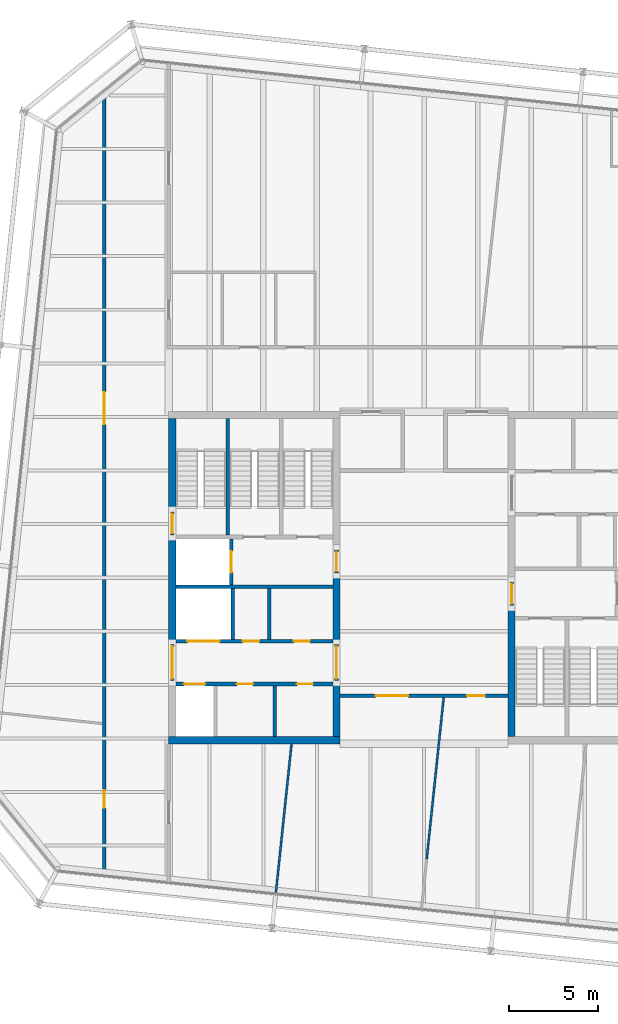
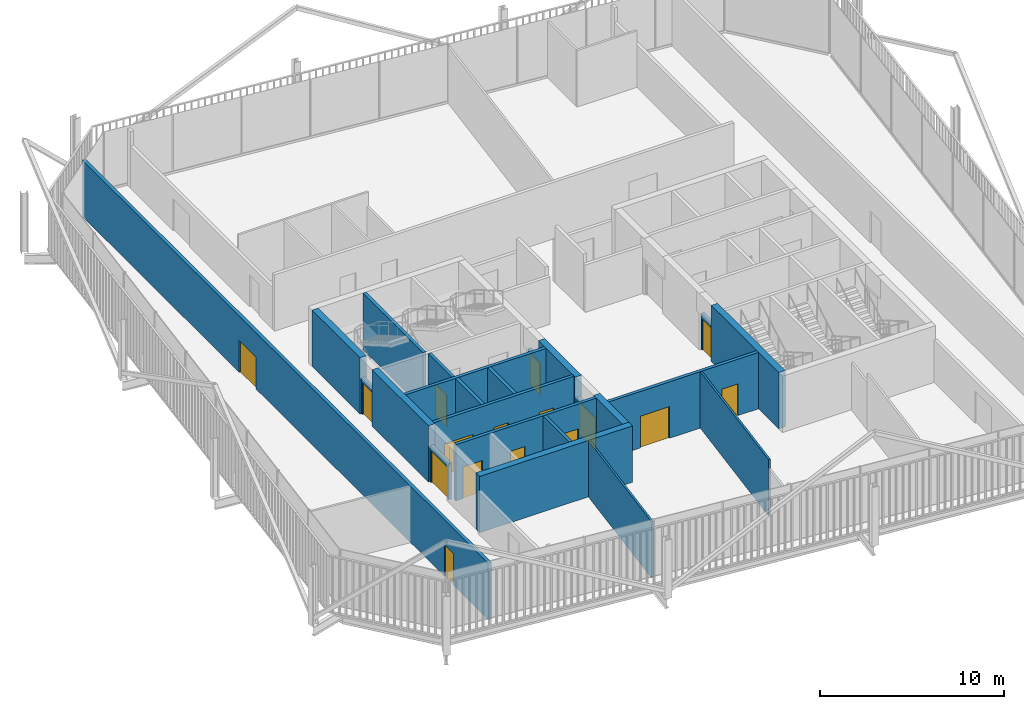
# One storey, part 17 of 21: 23 walls, 16 doors, 16 openings.
"""IFC4 building model written with IfcOpenShell, lengths in metres."""

import ifcopenshell
import ifcopenshell.guid

model = None  # the IFC model being written
_history = None  # IfcOwnerHistory: only IFC2X3 demands one
_inside = {}  # id of a spatial element -> (the spatial element, [elements in it])
_under = {}  # id of a project, library or spatial element -> (it, [spatial elements below it])
_declared = {}  # id of a project -> (the project, [libraries it declares])
_typed = {}  # id of a type object -> (the type object, [elements of that type])
_made_of = {}  # id of a material, layer set ... -> (it, [elements and type objects made of it])


def new_model(schema):
    """Start an empty IFC model of exactly this schema.

    Asked for "IFC4X3", IfcOpenShell would pick the latest addendum, in which some entities
    have other attributes; the version numbers below select the first issue.
    IFC2X3 requires an IfcOwnerHistory on every rooted entity: one is made here for all.
    """
    global model, _history
    if schema == "IFC4X3":
        model = ifcopenshell.file(schema_version=(4, 3, 0, 0))
    else:
        model = ifcopenshell.file(schema=schema)
    _inside.clear()
    _under.clear()
    _declared.clear()
    _typed.clear()
    _made_of.clear()
    _history = None
    if model.schema == "IFC2X3":
        org = make("IfcOrganization", Name="unknown")
        user = make(
            "IfcPersonAndOrganization",
            ThePerson=make("IfcPerson", FamilyName="unknown"),
            TheOrganization=org,
        )
        app = make(
            "IfcApplication",
            ApplicationDeveloper=org,
            Version="unknown",
            ApplicationFullName="unknown",
            ApplicationIdentifier="unknown",
        )
        _history = make(
            "IfcOwnerHistory",
            OwningUser=user,
            OwningApplication=app,
            ChangeAction="ADDED",
            CreationDate=0,
        )
    return model


def make(cls, **values):
    """One entity of the class cls with the attributes given. An attribute that is None is left unset."""
    return model.create_entity(
        cls, **{name: value for name, value in values.items() if value is not None}
    )


def rooted(cls, **values):
    """An entity with a GlobalId (a new one), such as an element, a storey or a relation."""
    return make(cls, GlobalId=ifcopenshell.guid.new(), OwnerHistory=_history, **values)


def si_unit(unit_type, name, prefix=None):
    """IfcSIUnit, for example si_unit("LENGTHUNIT", "METRE", prefix="MILLI")."""
    return make("IfcSIUnit", UnitType=unit_type, Prefix=prefix, Name=name)


def assignment(units):
    """IfcUnitAssignment: the units of a project."""
    return None if units is None else make("IfcUnitAssignment", Units=units)


def point(xyz):
    """IfcCartesianPoint."""
    return None if xyz is None else make("IfcCartesianPoint", Coordinates=xyz)


def direction(xyz):
    """IfcDirection."""
    return None if xyz is None else make("IfcDirection", DirectionRatios=xyz)


def frame(location, z_axis=None, x_axis=None):
    """IfcAxis2Placement3D, a coordinate frame: its origin and axes. An axis left out is left unset."""
    return make(
        "IfcAxis2Placement3D",
        Location=point(location),
        Axis=direction(z_axis),
        RefDirection=direction(x_axis),
    )


def frame_2d(location, x_axis=None):
    """IfcAxis2Placement2D, a coordinate frame in the plane: its origin and x axis."""
    return make(
        "IfcAxis2Placement2D", Location=point(location), RefDirection=direction(x_axis)
    )


def origin():
    """The frame at (0, 0, 0) with its axes left unset."""
    return frame((0.0, 0.0, 0.0))


def place(relative_to, where):
    """IfcLocalPlacement: puts the frame where relative to a parent placement (None: the world)."""
    return make(
        "IfcLocalPlacement", PlacementRelTo=relative_to, RelativePlacement=where
    )


def context(
    kind, dimensions, precision=None, world=None, true_north=None, identifier=None
):
    """IfcGeometricRepresentationContext, for example the 3D "Model" context."""
    return make(
        "IfcGeometricRepresentationContext",
        ContextIdentifier=identifier,
        ContextType=kind,
        CoordinateSpaceDimension=dimensions,
        Precision=precision,
        WorldCoordinateSystem=world,
        TrueNorth=true_north,
    )


def subcontext(parent, identifier, kind, view, scale=None):
    """IfcGeometricRepresentationSubContext, for example "Body" below "Model"."""
    return make(
        "IfcGeometricRepresentationSubContext",
        ContextIdentifier=identifier,
        ContextType=kind,
        ParentContext=parent,
        TargetScale=scale,
        TargetView=view,
    )


def project(units=None, contexts=None):
    """IfcProject with its units and contexts."""
    return rooted(
        "IfcProject",
        Name="project",
        RepresentationContexts=contexts,
        UnitsInContext=assignment(units),
    )


def spatial(cls, under=None, at=None, **own):
    """A site, building, storey or space (cls), placed at a placement, below another one or the project."""
    s = rooted(cls, ObjectPlacement=at, **own)
    if under is not None:
        _under.setdefault(under.id(), (under, []))[1].append(s)
    return s


def profile(cls, at=None, kind="AREA", **sizes):
    """A parametric profile (cls). Its sizes go by their IFC names, for example OverallWidth=200.0."""
    return make(cls, ProfileType=kind, Position=at, **sizes)


def rectangle(**sizes):
    """IfcRectangleProfileDef."""
    return profile("IfcRectangleProfileDef", **sizes)


def extrude(swept, where, along, depth):
    """IfcExtrudedAreaSolid: the profile swept, set in the frame where, extruded along a direction by depth."""
    return make(
        "IfcExtrudedAreaSolid",
        SweptArea=swept,
        Position=where,
        ExtrudedDirection=direction(along),
        Depth=depth,
    )


def shape(context_of_items, identifier, shape_type, items):
    """IfcShapeRepresentation: the items that make up one representation, for example the "Body"."""
    return make(
        "IfcShapeRepresentation",
        ContextOfItems=context_of_items,
        RepresentationIdentifier=identifier,
        RepresentationType=shape_type,
        Items=items,
    )


def material(Name=None, Category=None):
    """IfcMaterial."""
    return make("IfcMaterial", Name=Name, Category=Category)


def layer(
    of_material, thickness, ventilated=None, Name=None, Category=None, Priority=None
):
    """IfcMaterialLayer: one layer of a wall or slab, of a material (None: an air gap)."""
    return make(
        "IfcMaterialLayer",
        Material=of_material,
        LayerThickness=thickness,
        IsVentilated=ventilated,
        Name=Name,
        Category=Category,
        Priority=Priority,
    )


def layer_set(layers, Name=None):
    """IfcMaterialLayerSet."""
    return make("IfcMaterialLayerSet", MaterialLayers=layers, LayerSetName=Name)


def made_of(thing, what):
    """Note that an element or type object is made of a material, layer set ...; save() writes the relation."""
    if what is not None:
        _made_of.setdefault(what.id(), (what, []))[1].append(thing)
    return thing


def type_object(cls, material=None, **own):
    """A type object (cls), such as IfcWallType, which elements share."""
    return made_of(rooted(cls, **own), material)


def element(
    cls,
    number,
    at=None,
    inside=None,
    cuts=None,
    type_object=None,
    material=None,
    context=None,
    identifier="Body",
    shape_type=None,
    held_by="IfcProductDefinitionShape",
    body=None,
    shapes=None,
    **own,
):
    """One element of the class cls, such as IfcWall. Its Tag is "e" and its number.

    at: its placement. inside: the storey or other place that contains it. cuts: it is an
    opening in that element (IfcRelVoidsElement). A single representation is given by context,
    identifier, shape_type and body (its items); several are given by shapes. held_by: the class
    of the entity that holds the representations. save() writes the other relations.
    """
    e = rooted(cls, Tag="e%d" % number, ObjectPlacement=at, **own)
    if body is not None:
        shapes = [shape(context, identifier, shape_type, body)]
    if shapes is not None:
        e.Representation = make(held_by, Representations=shapes)
    if inside is not None:
        _inside.setdefault(inside.id(), (inside, []))[1].append(e)
    if cuts is not None:
        rooted(
            "IfcRelVoidsElement", RelatingBuildingElement=cuts, RelatedOpeningElement=e
        )
    if type_object is not None:
        _typed.setdefault(type_object.id(), (type_object, []))[1].append(e)
    return made_of(e, material)


def fill(opening, filler):
    """IfcRelFillsElement: the door or window that sits in an opening."""
    return rooted(
        "IfcRelFillsElement",
        RelatingOpeningElement=opening,
        RelatedBuildingElement=filler,
    )


def aggregate(whole, parts):
    """IfcRelAggregates: a whole, such as a stair, and the parts it consists of."""
    return rooted("IfcRelAggregates", RelatingObject=whole, RelatedObjects=parts)


def save(model, path):
    """Write the relations noted so far, then the file.

    IfcRelAggregates (storeys below a building ...), IfcRelContainedInSpatialStructure (elements
    in a storey), IfcRelDefinesByType, IfcRelAssociatesMaterial and IfcRelDeclares: one each for
    every whole, place, type object, material and project.
    """
    for whole, parts in _under.values():
        aggregate(whole, parts)
    for where, things in _inside.values():
        rooted(
            "IfcRelContainedInSpatialStructure",
            RelatedElements=things,
            RelatingStructure=where,
        )
    for kind, things in _typed.values():
        rooted("IfcRelDefinesByType", RelatedObjects=things, RelatingType=kind)
    for what, things in _made_of.values():
        rooted("IfcRelAssociatesMaterial", RelatedObjects=things, RelatingMaterial=what)
    for by, libraries in _declared.values():
        rooted("IfcRelDeclares", RelatingContext=by, RelatedDefinitions=libraries)
    model.write(path)


model = new_model("IFC4")

# Units and contexts
model_context = context("Model", 3, precision=1e-05, world=origin(), true_north=direction((0.0, 1.0)))
body_context = subcontext(model_context, "Body", "Model", "MODEL_VIEW")
ifc_project = project(units=[si_unit("LENGTHUNIT", "METRE"), si_unit("AREAUNIT", "SQUARE_METRE"), si_unit("VOLUMEUNIT", "CUBIC_METRE"), si_unit("PLANEANGLEUNIT", "RADIAN"), si_unit("MASSUNIT", "GRAM", prefix="KILO")], contexts=[model_context])

# Site, building, storey
site_placement = place(None, origin())
site = spatial("IfcSite", under=ifc_project, at=site_placement, CompositionType="ELEMENT")
building_placement = place(site_placement, origin())
building = spatial("IfcBuilding", under=site, at=building_placement, Name="Millrace Tower", CompositionType="ELEMENT")
storey_placement = place(building_placement, frame((0.0, 0.0, 291.60009765625)))
storey = spatial("IfcBuildingStorey", under=building, at=storey_placement, Name="L67", CompositionType="ELEMENT", Elevation=291.60009765625)

# Walls
ifc_material_1 = material(Name="Concrete C60", Category="concrete")
ifc_layer_1 = layer(ifc_material_1, 0.39990234375)
ifc_layer_set_1 = layer_set([ifc_layer_1], Name="Concrete C60")
wall_type_1 = type_object("IfcWallType", Name="Core wall 400 Concrete C60", PredefinedType="SHEAR", material=ifc_layer_set_1)
wall_1_placement = place(storey_placement, frame((-14.300048828125, -9.10009765625, 0.0), z_axis=(0.0, 0.0, 1.0), x_axis=(1.0, 0.0, 0.0)))
element("IfcWall", 1, at=wall_1_placement, inside=storey, type_object=wall_type_1, Name="Core wall W L67", PredefinedType="SHEAR", context=body_context, shape_type="SweptSolid", body=[
    extrude(rectangle(XDim=9.60009765625, YDim=0.39990234375, at=frame_2d((4.800048828125, 0.0))), origin(), (0.0, 0.0, 1.0), 3.739990234375),
])
wall_2_placement = place(storey_placement, frame((-14.10009765625, -3.75, 0.0), z_axis=(0.0, 0.0, 1.0), x_axis=(0.0, 1.0, 0.0)))
element("IfcWall", 2, at=wall_2_placement, inside=storey, type_object=wall_type_1, Name="Core wall W L67", PredefinedType="SHEAR", context=body_context, shape_type="SweptSolid", body=[
    extrude(rectangle(XDim=6.1298828125, YDim=0.39990234375, at=frame_2d((3.06494140625, 0.0))), origin(), (0.0, 0.0, 1.0), 3.739990234375),
])
wall_3_placement = place(storey_placement, frame((-14.10009765625, 3.679931640625, 0.0), z_axis=(0.0, 0.0, 1.0), x_axis=(0.0, 1.0, 0.0)))
element("IfcWall", 3, at=wall_3_placement, inside=storey, type_object=wall_type_1, Name="Core wall W L67", PredefinedType="SHEAR", context=body_context, shape_type="SweptSolid", body=[
    extrude(rectangle(XDim=5.219970703125, YDim=0.39990234375, at=frame_2d((2.60986328125, 0.0))), origin(), (0.0, 0.0, 1.0), 3.739990234375),
])
wall_4_placement = place(storey_placement, frame((-4.89990234375, -8.89990234375, 0.0), z_axis=(0.0, 0.0, 1.0), x_axis=(0.0, 1.0, 0.0)))
element("IfcWall", 4, at=wall_4_placement, inside=storey, type_object=wall_type_1, Name="Core wall W L67", PredefinedType="SHEAR", context=body_context, shape_type="SweptSolid", body=[
    extrude(rectangle(XDim=3.14990234375, YDim=0.39990234375, at=frame_2d((1.574951171875, 0.0))), origin(), (0.0, 0.0, 1.0), 3.739990234375),
])
wall_5_placement = place(storey_placement, frame((-4.89990234375, -3.75, 0.0), z_axis=(0.0, 0.0, 1.0), x_axis=(0.0, 1.0, 0.0)))
element("IfcWall", 5, at=wall_5_placement, inside=storey, type_object=wall_type_1, Name="Core wall W L67", PredefinedType="SHEAR", context=body_context, shape_type="SweptSolid", body=[
    extrude(rectangle(XDim=4.0, YDim=0.39990234375, at=frame_2d((2.0, 0.0))), origin(), (0.0, 0.0, 1.0), 3.739990234375),
])
wall_6_placement = place(storey_placement, frame((4.89990234375, -1.550048828125, 0.0), z_axis=(0.0, 0.0, 1.0), x_axis=(0.0, -1.0, 0.0)))
element("IfcWall", 6, at=wall_6_placement, inside=storey, type_object=wall_type_1, Name="Core wall E L67", PredefinedType="SHEAR", context=body_context, shape_type="SweptSolid", body=[
    extrude(rectangle(XDim=7.349853515625, YDim=0.39990234375, at=frame_2d((3.6748046875, 0.0))), origin(), (0.0, 0.0, 1.0), 3.739990234375),
])

# Wall, openings, doors
ifc_material_2 = material(Name="Masonry partition, fire-rated", Category="masonry")
ifc_layer_2 = layer(ifc_material_2, 0.199951171875)
ifc_layer_set_2 = layer_set([ifc_layer_2], Name="Masonry partition, fire-rated")
wall_type_2 = type_object("IfcWallType", Name="Corridor wall 200", PredefinedType="PARTITIONING", material=ifc_layer_set_2)
wall_7_placement = place(storey_placement, frame((-4.699951171875, -6.60009765625, 0.0), z_axis=(0.0, 0.0, 1.0), x_axis=(1.0, 0.0, 0.0)))
wall_7 = element("IfcWall", 7, at=wall_7_placement, inside=storey, type_object=wall_type_2, Name="Corridor wall L67", PredefinedType="PARTITIONING", context=body_context, shape_type="SweptSolid", body=[
    extrude(rectangle(XDim=9.39990234375, YDim=0.199951171875, at=frame_2d((4.699951171875, 0.0))), origin(), (0.0, 0.0, 1.0), 3.739990234375),
])
opening_1_placement = place(wall_7_placement, frame((2.0048828125, 0.0, 0.0)))
opening_1 = element("IfcOpeningElement", 8, at=opening_1_placement, cuts=wall_7, Name="Opening 67-P010", PredefinedType="OPENING", context=body_context, shape_type="SweptSolid", body=[
    extrude(rectangle(XDim=1.800048828125, YDim=2.10009765625, at=frame_2d((0.89990234375, 1.050048828125))), frame((0.0, 0.10986328125, 0.0), z_axis=(0.0, -1.0, 0.0), x_axis=(1.0, 0.0, 0.0)), (0.0, 0.0, 1.0), 0.219970703125),
])
opening_2_placement = place(wall_7_placement, frame((7.10498046875, 0.0, 0.0)))
opening_2 = element("IfcOpeningElement", 9, at=opening_2_placement, cuts=wall_7, Name="Opening 67-P011", PredefinedType="OPENING", context=body_context, shape_type="SweptSolid", body=[
    extrude(rectangle(XDim=1.0, YDim=2.10009765625, at=frame_2d((0.5, 1.050048828125))), frame((0.0, 0.10986328125, 0.0), z_axis=(0.0, -1.0, 0.0), x_axis=(1.0, 0.0, 0.0)), (0.0, 0.0, 1.0), 0.219970703125),
])
ifc_material_3 = material(Name="Steel door set, fire-rated", Category="steel")
door_type_1 = type_object("IfcDoorType", Name="Corridor door 1000 x 2100", OperationType="SINGLE_SWING_LEFT", PredefinedType="DOOR", material=ifc_material_3)
door_1_placement = place(opening_2_placement, frame((1.0, 0.0, 0.0), z_axis=(0.0, 0.0, 1.0), x_axis=(-1.0, 0.0, 0.0)))
door_1 = element("IfcDoor", 10, at=door_1_placement, inside=storey, type_object=door_type_1, Name="Door 67-P011", OperationType="SINGLE_SWING_LEFT", OverallHeight=2.10009765625, OverallWidth=1.0, PredefinedType="DOOR", context=body_context, shape_type="SweptSolid", body=[
    extrude(rectangle(XDim=1.0, YDim=2.10009765625, at=frame_2d((0.5, 1.050048828125))), frame((0.0, 0.02490234375, 0.0), z_axis=(0.0, -1.0, 0.0), x_axis=(1.0, 0.0, 0.0)), (0.0, 0.0, 1.0), 0.050048828125),
])
fill(opening_2, door_1)
ifc_material_4 = material(Name="Steel door set, fire-rated", Category="steel")
door_type_2 = type_object("IfcDoorType", Name="Corridor door 1800 x 2100", OperationType="DOUBLE_DOOR_SINGLE_SWING", PredefinedType="DOOR", material=ifc_material_4)
door_2_placement = place(opening_1_placement, frame((1.800048828125, 0.0, 0.0), z_axis=(0.0, 0.0, 1.0), x_axis=(-1.0, 0.0, 0.0)))
door_2 = element("IfcDoor", 11, at=door_2_placement, inside=storey, type_object=door_type_2, Name="Door 67-P010", OperationType="DOUBLE_DOOR_SINGLE_SWING", OverallHeight=2.10009765625, OverallWidth=1.800048828125, PredefinedType="DOOR", context=body_context, shape_type="SweptSolid", body=[
    extrude(rectangle(XDim=1.800048828125, YDim=2.10009765625, at=frame_2d((0.89990234375, 1.050048828125))), frame((0.0, 0.02490234375, 0.0), z_axis=(0.0, -1.0, 0.0), x_axis=(1.0, 0.0, 0.0)), (0.0, 0.0, 1.0), 0.050048828125),
])
fill(opening_1, door_2)

wall_8_placement = place(storey_placement, frame((-17.89990234375, -16.653076171875, 0.0), z_axis=(0.0, 0.0, 1.0), x_axis=(0.0, 1.0, 0.0)))
wall_8 = element("IfcWall", 12, at=wall_8_placement, inside=storey, type_object=wall_type_2, Name="Corridor wall L67", PredefinedType="PARTITIONING", context=body_context, shape_type="SweptSolid", body=[
    extrude(rectangle(XDim=44.071533203125, YDim=0.199951171875, at=frame_2d((22.03564453125, 0.0))), origin(), (0.0, 0.0, 1.0), 3.739990234375),
])
opening_3_placement = place(wall_8_placement, frame((3.76318359375, 0.0, 0.0)))
opening_3 = element("IfcOpeningElement", 13, at=opening_3_placement, cuts=wall_8, Name="Opening 67-P003", PredefinedType="OPENING", context=body_context, shape_type="SweptSolid", body=[
    extrude(rectangle(XDim=1.0, YDim=2.10009765625, at=frame_2d((0.5, 1.050048828125))), frame((0.0, 0.10986328125, 0.0), z_axis=(0.0, -1.0, 0.0), x_axis=(1.0, 0.0, 0.0)), (0.0, 0.0, 1.0), 0.219970703125),
])
opening_4_placement = place(wall_8_placement, frame((25.24169921875, 0.0, 0.0)))
opening_4 = element("IfcOpeningElement", 14, at=opening_4_placement, cuts=wall_8, Name="Opening 67-P004", PredefinedType="OPENING", context=body_context, shape_type="SweptSolid", body=[
    extrude(rectangle(XDim=1.800048828125, YDim=2.10009765625, at=frame_2d((0.89990234375, 1.050048828125))), frame((0.0, 0.10986328125, 0.0), z_axis=(0.0, -1.0, 0.0), x_axis=(1.0, 0.0, 0.0)), (0.0, 0.0, 1.0), 0.219970703125),
])
door_3_placement = place(opening_3_placement, origin())
door_3 = element("IfcDoor", 15, at=door_3_placement, inside=storey, type_object=door_type_1, Name="Door 67-P003", OperationType="SINGLE_SWING_LEFT", OverallHeight=2.10009765625, OverallWidth=1.0, PredefinedType="DOOR", context=body_context, shape_type="SweptSolid", body=[
    extrude(rectangle(XDim=1.0, YDim=2.10009765625, at=frame_2d((0.5, 1.050048828125))), frame((0.0, 0.02490234375, 0.0), z_axis=(0.0, -1.0, 0.0), x_axis=(1.0, 0.0, 0.0)), (0.0, 0.0, 1.0), 0.050048828125),
])
fill(opening_3, door_3)
door_4_placement = place(opening_4_placement, origin())
door_4 = element("IfcDoor", 16, at=door_4_placement, inside=storey, type_object=door_type_2, Name="Door 67-P004", OperationType="DOUBLE_DOOR_SINGLE_SWING", OverallHeight=2.10009765625, OverallWidth=1.800048828125, PredefinedType="DOOR", context=body_context, shape_type="SweptSolid", body=[
    extrude(rectangle(XDim=1.800048828125, YDim=2.10009765625, at=frame_2d((0.89990234375, 1.050048828125))), frame((0.0, 0.02490234375, 0.0), z_axis=(0.0, -1.0, 0.0), x_axis=(1.0, 0.0, 0.0)), (0.0, 0.0, 1.0), 0.050048828125),
])
fill(opening_4, door_4)

ifc_material_5 = material(Name="Masonry partition, fire-rated", Category="masonry")
ifc_layer_3 = layer(ifc_material_5, 0.199951171875)
ifc_layer_set_3 = layer_set([ifc_layer_3], Name="Masonry partition, fire-rated")
wall_type_3 = type_object("IfcWallType", Name="Lift shaft wall 200", PredefinedType="PARTITIONING", material=ifc_layer_set_3)
wall_9_placement = place(storey_placement, frame((-13.89990234375, -5.949951171875, 0.0), z_axis=(0.0, 0.0, 1.0), x_axis=(1.0, 0.0, 0.0)))
wall_9 = element("IfcWall", 17, at=wall_9_placement, inside=storey, type_object=wall_type_3, Name="Lift shaft wall W L67", PredefinedType="PARTITIONING", context=body_context, shape_type="SweptSolid", body=[
    extrude(rectangle(XDim=8.7998046875, YDim=0.199951171875, at=frame_2d((4.39990234375, 0.0))), origin(), (0.0, 0.0, 1.0), 3.739990234375),
])
opening_5_placement = place(wall_9_placement, frame((0.449951171875, 0.0, 0.0)))
opening_5 = element("IfcOpeningElement", 18, at=opening_5_placement, cuts=wall_9, Name="Opening 67-LD01", PredefinedType="OPENING", context=body_context, shape_type="SweptSolid", body=[
    extrude(rectangle(XDim=1.199951171875, YDim=2.10009765625, at=frame_2d((0.60009765625, 1.050048828125))), frame((0.0, 0.10986328125, 0.0), z_axis=(0.0, -1.0, 0.0), x_axis=(1.0, 0.0, 0.0)), (0.0, 0.0, 1.0), 0.219970703125),
])
opening_6_placement = place(wall_9_placement, frame((3.425048828125, 0.0, 0.0)))
opening_6 = element("IfcOpeningElement", 19, at=opening_6_placement, cuts=wall_9, Name="Opening 67-C005", PredefinedType="OPENING", context=body_context, shape_type="SweptSolid", body=[
    extrude(rectangle(XDim=0.89990234375, YDim=2.10009765625, at=frame_2d((0.449951171875, 1.050048828125))), frame((0.0, 0.10986328125, 0.0), z_axis=(0.0, -1.0, 0.0), x_axis=(1.0, 0.0, 0.0)), (0.0, 0.0, 1.0), 0.219970703125),
])
opening_7_placement = place(wall_9_placement, frame((6.77490234375, 0.0, 0.0)))
opening_7 = element("IfcOpeningElement", 20, at=opening_7_placement, cuts=wall_9, Name="Opening 67-C006", PredefinedType="OPENING", context=body_context, shape_type="SweptSolid", body=[
    extrude(rectangle(XDim=0.89990234375, YDim=2.10009765625, at=frame_2d((0.449951171875, 1.050048828125))), frame((0.0, 0.10986328125, 0.0), z_axis=(0.0, -1.0, 0.0), x_axis=(1.0, 0.0, 0.0)), (0.0, 0.0, 1.0), 0.219970703125),
])
ifc_material_6 = material(Name="Stainless steel, fire-rated", Category="steel")
door_type_3 = type_object("IfcDoorType", Name="Lift landing door 1200 x 2100", OperationType="DOUBLE_DOOR_SLIDING", PredefinedType="DOOR", material=ifc_material_6)
door_5_placement = place(opening_5_placement, origin())
door_5 = element("IfcDoor", 21, at=door_5_placement, inside=storey, type_object=door_type_3, Name="Lift landing door LF1 L67", OperationType="DOUBLE_DOOR_SLIDING", OverallHeight=2.10009765625, OverallWidth=1.199951171875, PredefinedType="DOOR", context=body_context, shape_type="SweptSolid", body=[
    extrude(rectangle(XDim=1.199951171875, YDim=2.10009765625, at=frame_2d((0.60009765625, 1.050048828125))), frame((0.0, 0.02490234375, 0.0), z_axis=(0.0, -1.0, 0.0), x_axis=(1.0, 0.0, 0.0)), (0.0, 0.0, 1.0), 0.050048828125),
])
fill(opening_5, door_5)
ifc_material_7 = material(Name="Steel door, fire-rated", Category="steel")
door_type_4 = type_object("IfcDoorType", Name="Service room door 900 x 2100", OperationType="SINGLE_SWING_LEFT", PredefinedType="DOOR", material=ifc_material_7)
door_6_placement = place(opening_6_placement, frame((0.89990234375, 0.0, 0.0), z_axis=(0.0, 0.0, 1.0), x_axis=(-1.0, 0.0, 0.0)))
door_6 = element("IfcDoor", 22, at=door_6_placement, inside=storey, type_object=door_type_4, Name="Service room door 67-C005", OperationType="SINGLE_SWING_RIGHT", OverallHeight=2.10009765625, OverallWidth=0.89990234375, PredefinedType="DOOR", context=body_context, shape_type="SweptSolid", body=[
    extrude(rectangle(XDim=0.89990234375, YDim=2.10009765625, at=frame_2d((0.449951171875, 1.050048828125))), frame((0.0, 0.02490234375, 0.0), z_axis=(0.0, -1.0, 0.0), x_axis=(1.0, 0.0, 0.0)), (0.0, 0.0, 1.0), 0.050048828125),
])
fill(opening_6, door_6)
door_7_placement = place(opening_7_placement, frame((0.89990234375, 0.0, 0.0), z_axis=(0.0, 0.0, 1.0), x_axis=(-1.0, 0.0, 0.0)))
door_7 = element("IfcDoor", 23, at=door_7_placement, inside=storey, type_object=door_type_4, Name="Service room door 67-C006", OperationType="SINGLE_SWING_LEFT", OverallHeight=2.10009765625, OverallWidth=0.89990234375, PredefinedType="DOOR", context=body_context, shape_type="SweptSolid", body=[
    extrude(rectangle(XDim=0.89990234375, YDim=2.10009765625, at=frame_2d((0.449951171875, 1.050048828125))), frame((0.0, 0.02490234375, 0.0), z_axis=(0.0, -1.0, 0.0), x_axis=(1.0, 0.0, 0.0)), (0.0, 0.0, 1.0), 0.050048828125),
])
fill(opening_7, door_7)

wall_10_placement = place(storey_placement, frame((-13.89990234375, -3.550048828125, 0.0), z_axis=(0.0, 0.0, 1.0), x_axis=(1.0, 0.0, 0.0)))
wall_10 = element("IfcWall", 24, at=wall_10_placement, inside=storey, type_object=wall_type_3, Name="Lift shaft wall W L67", PredefinedType="PARTITIONING", context=body_context, shape_type="SweptSolid", body=[
    extrude(rectangle(XDim=8.7998046875, YDim=0.199951171875, at=frame_2d((4.39990234375, 0.0))), origin(), (0.0, 0.0, 1.0), 3.739990234375),
])
opening_8_placement = place(wall_10_placement, frame((0.64990234375, 0.0, 0.0)))
opening_8 = element("IfcOpeningElement", 25, at=opening_8_placement, cuts=wall_10, Name="Opening 67-LD05", PredefinedType="OPENING", context=body_context, shape_type="SweptSolid", body=[
    extrude(rectangle(XDim=1.800048828125, YDim=2.10009765625, at=frame_2d((0.89990234375, 1.050048828125))), frame((0.0, 0.10986328125, 0.0), z_axis=(0.0, -1.0, 0.0), x_axis=(1.0, 0.0, 0.0)), (0.0, 0.0, 1.0), 0.219970703125),
])
opening_9_placement = place(wall_10_placement, frame((3.762451171875, 0.0, 0.0)))
opening_9 = element("IfcOpeningElement", 26, at=opening_9_placement, cuts=wall_10, Name="Opening 67-C007", PredefinedType="OPENING", context=body_context, shape_type="SweptSolid", body=[
    extrude(rectangle(XDim=0.89990234375, YDim=2.10009765625, at=frame_2d((0.449951171875, 1.050048828125))), frame((0.0, 0.10986328125, 0.0), z_axis=(0.0, -1.0, 0.0), x_axis=(1.0, 0.0, 0.0)), (0.0, 0.0, 1.0), 0.219970703125),
])
opening_10_placement = place(wall_10_placement, frame((6.612548828125, 0.0, 0.0)))
opening_10 = element("IfcOpeningElement", 27, at=opening_10_placement, cuts=wall_10, Name="Opening 67-C008", PredefinedType="OPENING", context=body_context, shape_type="SweptSolid", body=[
    extrude(rectangle(XDim=0.89990234375, YDim=2.10009765625, at=frame_2d((0.449951171875, 1.050048828125))), frame((0.0, 0.10986328125, 0.0), z_axis=(0.0, -1.0, 0.0), x_axis=(1.0, 0.0, 0.0)), (0.0, 0.0, 1.0), 0.219970703125),
])
ifc_material_8 = material(Name="Stainless steel, fire-rated", Category="steel")
door_type_5 = type_object("IfcDoorType", Name="Lift landing door 1800 x 2100", OperationType="DOUBLE_DOOR_SLIDING", PredefinedType="DOOR", material=ifc_material_8)
door_8_placement = place(opening_8_placement, origin())
door_8 = element("IfcDoor", 28, at=door_8_placement, inside=storey, type_object=door_type_5, Name="Lift landing door LF5 L67", OperationType="DOUBLE_DOOR_SLIDING", OverallHeight=2.10009765625, OverallWidth=1.800048828125, PredefinedType="DOOR", context=body_context, shape_type="SweptSolid", body=[
    extrude(rectangle(XDim=1.800048828125, YDim=2.10009765625, at=frame_2d((0.89990234375, 1.050048828125))), frame((0.0, 0.02490234375, 0.0), z_axis=(0.0, -1.0, 0.0), x_axis=(1.0, 0.0, 0.0)), (0.0, 0.0, 1.0), 0.050048828125),
])
fill(opening_8, door_8)
door_9_placement = place(opening_9_placement, origin())
door_9 = element("IfcDoor", 29, at=door_9_placement, inside=storey, type_object=door_type_4, Name="Service room door 67-C007", OperationType="SINGLE_SWING_LEFT", OverallHeight=2.10009765625, OverallWidth=0.89990234375, PredefinedType="DOOR", context=body_context, shape_type="SweptSolid", body=[
    extrude(rectangle(XDim=0.89990234375, YDim=2.10009765625, at=frame_2d((0.449951171875, 1.050048828125))), frame((0.0, 0.02490234375, 0.0), z_axis=(0.0, -1.0, 0.0), x_axis=(1.0, 0.0, 0.0)), (0.0, 0.0, 1.0), 0.050048828125),
])
fill(opening_9, door_9)
door_10_placement = place(opening_10_placement, origin())
door_10 = element("IfcDoor", 30, at=door_10_placement, inside=storey, type_object=door_type_4, Name="Service room door 67-C008", OperationType="SINGLE_SWING_RIGHT", OverallHeight=2.10009765625, OverallWidth=0.89990234375, PredefinedType="DOOR", context=body_context, shape_type="SweptSolid", body=[
    extrude(rectangle(XDim=0.89990234375, YDim=2.10009765625, at=frame_2d((0.449951171875, 1.050048828125))), frame((0.0, 0.02490234375, 0.0), z_axis=(0.0, -1.0, 0.0), x_axis=(1.0, 0.0, 0.0)), (0.0, 0.0, 1.0), 0.050048828125),
])
fill(opening_10, door_10)

# Wall
wall_11_placement = place(storey_placement, frame((-13.89990234375, -0.5, 0.0), z_axis=(0.0, 0.0, 1.0), x_axis=(1.0, 0.0, 0.0)))
element("IfcWall", 31, at=wall_11_placement, inside=storey, type_object=wall_type_3, Name="Lift shaft wall W L67", PredefinedType="PARTITIONING", context=body_context, shape_type="SweptSolid", body=[
    extrude(rectangle(XDim=8.7998046875, YDim=0.199951171875, at=frame_2d((4.39990234375, 0.0))), origin(), (0.0, 0.0, 1.0), 3.739990234375),
])

# Wall, opening, door
wall_12_placement = place(storey_placement, frame((-10.800048828125, -0.39990234375, 0.0), z_axis=(0.0, 0.0, 1.0), x_axis=(0.0, 1.0, 0.0)))
wall_12 = element("IfcWall", 32, at=wall_12_placement, inside=storey, type_object=wall_type_3, Name="Lift shaft wall W L67", PredefinedType="PARTITIONING", context=body_context, shape_type="SweptSolid", body=[
    extrude(rectangle(XDim=2.579833984375, YDim=0.199951171875, at=frame_2d((1.2900390625, 0.0))), origin(), (0.0, 0.0, 1.0), 3.739990234375),
])
opening_11_placement = place(wall_12_placement, frame((0.68994140625, 0.0, 0.0)))
opening_11 = element("IfcOpeningElement", 33, at=opening_11_placement, cuts=wall_12, Name="Opening 67-LD08", PredefinedType="OPENING", context=body_context, shape_type="SweptSolid", body=[
    extrude(rectangle(XDim=1.199951171875, YDim=2.10009765625, at=frame_2d((0.60009765625, 1.050048828125))), frame((0.0, 0.10986328125, 0.0), z_axis=(0.0, -1.0, 0.0), x_axis=(1.0, 0.0, 0.0)), (0.0, 0.0, 1.0), 0.219970703125),
])
door_11_placement = place(opening_11_placement, origin())
door_11 = element("IfcDoor", 34, at=door_11_placement, inside=storey, type_object=door_type_3, Name="Lift landing door LF8 L67", OperationType="DOUBLE_DOOR_SLIDING", OverallHeight=2.10009765625, OverallWidth=1.199951171875, PredefinedType="DOOR", context=body_context, shape_type="SweptSolid", body=[
    extrude(rectangle(XDim=1.199951171875, YDim=2.10009765625, at=frame_2d((0.60009765625, 1.050048828125))), frame((0.0, 0.02490234375, 0.0), z_axis=(0.0, -1.0, 0.0), x_axis=(1.0, 0.0, 0.0)), (0.0, 0.0, 1.0), 0.050048828125),
])
fill(opening_11, door_11)

# Wall
wall_13_placement = place(storey_placement, frame((-10.699951171875, -3.449951171875, 0.0), z_axis=(0.0, 0.0, 1.0), x_axis=(0.0, 1.0, 0.0)))
element("IfcWall", 35, at=wall_13_placement, inside=storey, type_object=wall_type_3, Name="Lift shaft wall W L67", PredefinedType="PARTITIONING", context=body_context, shape_type="SweptSolid", body=[
    extrude(rectangle(XDim=2.849853515625, YDim=0.199951171875, at=frame_2d((1.4248046875, 0.0))), origin(), (0.0, 0.0, 1.0), 3.739990234375),
])

# Wall, opening, door
ifc_material_9 = material(Name="Masonry partition, fire-rated", Category="masonry")
ifc_layer_4 = layer(ifc_material_9, 0.199951171875)
ifc_layer_set_4 = layer_set([ifc_layer_4], Name="Masonry partition, fire-rated")
wall_type_4 = type_object("IfcWallType", Name="Lobby wall 200", PredefinedType="PARTITIONING", material=ifc_layer_set_4)
wall_14_placement = place(storey_placement, frame((-14.10009765625, -5.75, 0.0), z_axis=(0.0, 0.0, 1.0), x_axis=(0.0, 1.0, 0.0)))
wall_14 = element("IfcWall", 36, at=wall_14_placement, inside=storey, type_object=wall_type_4, Name="Lobby wall W L67", PredefinedType="PARTITIONING", context=body_context, shape_type="SweptSolid", body=[
    extrude(rectangle(XDim=2.0, YDim=0.199951171875, at=frame_2d((1.0, 0.0))), origin(), (0.0, 0.0, 1.0), 2.39990234375),
])
opening_12_placement = place(wall_14_placement, frame((0.10009765625, 0.0, 0.0)))
opening_12 = element("IfcOpeningElement", 37, at=opening_12_placement, cuts=wall_14, Name="Opening 67-C001", PredefinedType="OPENING", context=body_context, shape_type="SweptSolid", body=[
    extrude(rectangle(XDim=1.800048828125, YDim=2.10009765625, at=frame_2d((0.89990234375, 1.050048828125))), frame((0.0, 0.10986328125, 0.0), z_axis=(0.0, -1.0, 0.0), x_axis=(1.0, 0.0, 0.0)), (0.0, 0.0, 1.0), 0.219970703125),
])
ifc_material_10 = material(Name="Steel door, fire-rated", Category="steel")
door_type_6 = type_object("IfcDoorType", Name="Lobby door 1800 x 2100", OperationType="DOUBLE_DOOR_SINGLE_SWING", PredefinedType="DOOR", material=ifc_material_10)
door_12_placement = place(opening_12_placement, origin())
door_12 = element("IfcDoor", 38, at=door_12_placement, inside=storey, type_object=door_type_6, Name="Lobby door 67-C001", OperationType="DOUBLE_DOOR_SINGLE_SWING", OverallHeight=2.10009765625, OverallWidth=1.800048828125, PredefinedType="DOOR", context=body_context, shape_type="SweptSolid", body=[
    extrude(rectangle(XDim=1.800048828125, YDim=2.10009765625, at=frame_2d((0.89990234375, 1.050048828125))), frame((0.0, 0.02490234375, 0.0), z_axis=(0.0, -1.0, 0.0), x_axis=(1.0, 0.0, 0.0)), (0.0, 0.0, 1.0), 0.050048828125),
])
fill(opening_12, door_12)

wall_15_placement = place(storey_placement, frame((-4.89990234375, -5.75, 0.0), z_axis=(0.0, 0.0, 1.0), x_axis=(0.0, 1.0, 0.0)))
wall_15 = element("IfcWall", 39, at=wall_15_placement, inside=storey, type_object=wall_type_4, Name="Lobby wall W L67", PredefinedType="PARTITIONING", context=body_context, shape_type="SweptSolid", body=[
    extrude(rectangle(XDim=2.0, YDim=0.199951171875, at=frame_2d((1.0, 0.0))), origin(), (0.0, 0.0, 1.0), 2.39990234375),
])
opening_13_placement = place(wall_15_placement, frame((0.10009765625, 0.0, 0.0)))
opening_13 = element("IfcOpeningElement", 40, at=opening_13_placement, cuts=wall_15, Name="Opening 67-C003", PredefinedType="OPENING", context=body_context, shape_type="SweptSolid", body=[
    extrude(rectangle(XDim=1.800048828125, YDim=2.10009765625, at=frame_2d((0.89990234375, 1.050048828125))), frame((0.0, 0.10986328125, 0.0), z_axis=(0.0, -1.0, 0.0), x_axis=(1.0, 0.0, 0.0)), (0.0, 0.0, 1.0), 0.219970703125),
])
door_13_placement = place(opening_13_placement, frame((1.800048828125, 0.0, 0.0), z_axis=(0.0, 0.0, 1.0), x_axis=(-1.0, 0.0, 0.0)))
door_13 = element("IfcDoor", 41, at=door_13_placement, inside=storey, type_object=door_type_6, Name="Lobby door 67-C003", OperationType="DOUBLE_DOOR_SINGLE_SWING", OverallHeight=2.10009765625, OverallWidth=1.800048828125, PredefinedType="DOOR", context=body_context, shape_type="SweptSolid", body=[
    extrude(rectangle(XDim=1.800048828125, YDim=2.10009765625, at=frame_2d((0.89990234375, 1.050048828125))), frame((0.0, 0.02490234375, 0.0), z_axis=(0.0, -1.0, 0.0), x_axis=(1.0, 0.0, 0.0)), (0.0, 0.0, 1.0), 0.050048828125),
])
fill(opening_13, door_13)

wall_16_placement = place(storey_placement, frame((-4.89990234375, 0.25, 0.0), z_axis=(0.0, 0.0, 1.0), x_axis=(0.0, 1.0, 0.0)))
wall_16 = element("IfcWall", 42, at=wall_16_placement, inside=storey, type_object=wall_type_4, Name="Lobby wall W L67", PredefinedType="PARTITIONING", context=body_context, shape_type="SweptSolid", body=[
    extrude(rectangle(XDim=1.300048828125, YDim=0.199951171875, at=frame_2d((0.64990234375, 0.0))), origin(), (0.0, 0.0, 1.0), 2.39990234375),
])
opening_14_placement = place(wall_16_placement, frame((0.10009765625, 0.0, 0.0)))
opening_14 = element("IfcOpeningElement", 43, at=opening_14_placement, cuts=wall_16, Name="Opening 67-C004", PredefinedType="OPENING", context=body_context, shape_type="SweptSolid", body=[
    extrude(rectangle(XDim=1.10009765625, YDim=2.10009765625, at=frame_2d((0.550048828125, 1.050048828125))), frame((0.0, 0.10986328125, 0.0), z_axis=(0.0, -1.0, 0.0), x_axis=(1.0, 0.0, 0.0)), (0.0, 0.0, 1.0), 0.219970703125),
])
ifc_material_11 = material(Name="Steel door, fire-rated", Category="steel")
door_type_7 = type_object("IfcDoorType", Name="Lobby door 1100 x 2100", OperationType="SINGLE_SWING_LEFT", PredefinedType="DOOR", material=ifc_material_11)
door_14_placement = place(opening_14_placement, frame((1.10009765625, 0.0, 0.0), z_axis=(0.0, 0.0, 1.0), x_axis=(-1.0, 0.0, 0.0)))
door_14 = element("IfcDoor", 44, at=door_14_placement, inside=storey, type_object=door_type_7, Name="Lobby door 67-C004", OperationType="SINGLE_SWING_LEFT", OverallHeight=2.10009765625, OverallWidth=1.10009765625, PredefinedType="DOOR", context=body_context, shape_type="SweptSolid", body=[
    extrude(rectangle(XDim=1.10009765625, YDim=2.10009765625, at=frame_2d((0.550048828125, 1.050048828125))), frame((0.0, 0.02490234375, 0.0), z_axis=(0.0, -1.0, 0.0), x_axis=(1.0, 0.0, 0.0)), (0.0, 0.0, 1.0), 0.050048828125),
])
fill(opening_14, door_14)

wall_17_placement = place(storey_placement, frame((4.89990234375, -0.25, 0.0), z_axis=(0.0, 0.0, 1.0), x_axis=(0.0, -1.0, 0.0)))
wall_17 = element("IfcWall", 45, at=wall_17_placement, inside=storey, type_object=wall_type_4, Name="Lobby wall E L67", PredefinedType="PARTITIONING", context=body_context, shape_type="SweptSolid", body=[
    extrude(rectangle(XDim=1.300048828125, YDim=0.199951171875, at=frame_2d((0.64990234375, 0.0))), origin(), (0.0, 0.0, 1.0), 2.39990234375),
])
opening_15_placement = place(wall_17_placement, frame((0.10009765625, 0.0, 0.0)))
opening_15 = element("IfcOpeningElement", 46, at=opening_15_placement, cuts=wall_17, Name="Opening 67-C014", PredefinedType="OPENING", context=body_context, shape_type="SweptSolid", body=[
    extrude(rectangle(XDim=1.10009765625, YDim=2.10009765625, at=frame_2d((0.550048828125, 1.050048828125))), frame((0.0, 0.10986328125, 0.0), z_axis=(0.0, -1.0, 0.0), x_axis=(1.0, 0.0, 0.0)), (0.0, 0.0, 1.0), 0.219970703125),
])
door_15_placement = place(opening_15_placement, frame((1.10009765625, 0.0, 0.0), z_axis=(0.0, 0.0, 1.0), x_axis=(-1.0, 0.0, 0.0)))
door_15 = element("IfcDoor", 47, at=door_15_placement, inside=storey, type_object=door_type_7, Name="Lobby door 67-C014", OperationType="SINGLE_SWING_RIGHT", OverallHeight=2.10009765625, OverallWidth=1.10009765625, PredefinedType="DOOR", context=body_context, shape_type="SweptSolid", body=[
    extrude(rectangle(XDim=1.10009765625, YDim=2.10009765625, at=frame_2d((0.550048828125, 1.050048828125))), frame((0.0, 0.02490234375, 0.0), z_axis=(0.0, -1.0, 0.0), x_axis=(1.0, 0.0, 0.0)), (0.0, 0.0, 1.0), 0.050048828125),
])
fill(opening_15, door_15)

# Walls
ifc_material_12 = material(Name="Gypsum board partition")
ifc_layer_5 = layer(ifc_material_12, 0.1201171875)
ifc_layer_set_5 = layer_set([ifc_layer_5], Name="Gypsum board partition")
wall_type_5 = type_object("IfcWallType", Name="Partition wall 120", PredefinedType="PARTITIONING", material=ifc_layer_set_5)
wall_18_placement = place(storey_placement, frame((0.148681640625, -15.74560546875, 0.0), z_axis=(0.0, 0.0, 1.0), x_axis=(0.104543668723, 0.994520297093, 0.0)))
element("IfcWall", 48, at=wall_18_placement, inside=storey, type_object=wall_type_5, Name="Partition wall L67", PredefinedType="PARTITIONING", context=body_context, shape_type="SweptSolid", body=[
    extrude(rectangle(XDim=9.095947265625, YDim=0.1201171875, at=frame_2d((4.5478515625, 0.0))), origin(), (0.0, 0.0, 1.0), 3.739990234375),
])
wall_19_placement = place(storey_placement, frame((-8.297119140625, -17.662353515625, 0.0), z_axis=(0.0, 0.0, 1.0), x_axis=(0.104441438294, 0.994531038212, 0.0)))
element("IfcWall", 49, at=wall_19_placement, inside=storey, type_object=wall_type_5, Name="Partition wall L67", PredefinedType="PARTITIONING", context=body_context, shape_type="SweptSolid", body=[
    extrude(rectangle(XDim=8.408203125, YDim=0.1201171875, at=frame_2d((4.2041015625, 0.0))), origin(), (0.0, 0.0, 1.0), 3.739990234375),
])
ifc_material_13 = material(Name="Masonry partition, fire-rated", Category="masonry")
ifc_layer_6 = layer(ifc_material_13, 0.199951171875)
ifc_layer_set_6 = layer_set([ifc_layer_6], Name="Masonry partition, fire-rated")
wall_type_6 = type_object("IfcWallType", Name="Room partition 200", PredefinedType="PARTITIONING", material=ifc_layer_set_6)
for number, where, z_axis, x_axis, name in (
    (50, (-8.35009765625, -8.89990234375, 0.0), (0.0, 0.0, 1.0), (0.0, 1.0, 0.0), "Room partition W L67"),
    (51, (-8.675048828125, -3.449951171875, 0.0), (0.0, 0.0, 1.0), (0.0, 1.0, 0.0), "Room partition W L67"),
):
    element("IfcWall", number, at=place(storey_placement, frame(where, z_axis=z_axis, x_axis=x_axis)), inside=storey, type_object=wall_type_6, Name=name, PredefinedType="PARTITIONING", context=body_context, shape_type="SweptSolid", body=[
        extrude(rectangle(XDim=2.849853515625, YDim=0.199951171875, at=frame_2d((1.4248046875, 0.0))), origin(), (0.0, 0.0, 1.0), 3.739990234375),
    ])

# Wall, opening, door
ifc_material_14 = material(Name="Concrete C40", Category="concrete")
ifc_layer_7 = layer(ifc_material_14, 0.199951171875)
ifc_layer_set_7 = layer_set([ifc_layer_7], Name="Concrete C40")
wall_type_7 = type_object("IfcWallType", Name="Stair enclosure wall 200 Concrete C40", PredefinedType="SHEAR", material=ifc_layer_set_7)
wall_20_placement = place(storey_placement, frame((-14.10009765625, 2.3798828125, 0.0), z_axis=(0.0, 0.0, 1.0), x_axis=(0.0, 1.0, 0.0)))
wall_20 = element("IfcWall", 52, at=wall_20_placement, inside=storey, type_object=wall_type_7, Name="Stair enclosure wall W L67", PredefinedType="SHEAR", context=body_context, shape_type="SweptSolid", body=[
    extrude(rectangle(XDim=1.300048828125, YDim=0.199951171875, at=frame_2d((0.64990234375, 0.0))), origin(), (0.0, 0.0, 1.0), 2.39990234375),
])
opening_16_placement = place(wall_20_placement, frame((0.10009765625, 0.0, 0.0)))
opening_16 = element("IfcOpeningElement", 53, at=opening_16_placement, cuts=wall_20, Name="Opening 67-C002", PredefinedType="OPENING", context=body_context, shape_type="SweptSolid", body=[
    extrude(rectangle(XDim=1.10009765625, YDim=2.10009765625, at=frame_2d((0.550048828125, 1.050048828125))), frame((0.0, 0.10986328125, 0.0), z_axis=(0.0, -1.0, 0.0), x_axis=(1.0, 0.0, 0.0)), (0.0, 0.0, 1.0), 0.219970703125),
])
ifc_material_15 = material(Name="Steel door, fire-rated", Category="steel")
door_type_8 = type_object("IfcDoorType", Name="Stair door 1100 x 2100", OperationType="SINGLE_SWING_LEFT", PredefinedType="DOOR", material=ifc_material_15)
door_16_placement = place(opening_16_placement, origin())
door_16 = element("IfcDoor", 54, at=door_16_placement, inside=storey, type_object=door_type_8, Name="Stair door 67-C002", OperationType="SINGLE_SWING_RIGHT", OverallHeight=2.10009765625, OverallWidth=1.10009765625, PredefinedType="DOOR", context=body_context, shape_type="SweptSolid", body=[
    extrude(rectangle(XDim=1.10009765625, YDim=2.10009765625, at=frame_2d((0.550048828125, 1.050048828125))), frame((0.0, 0.02490234375, 0.0), z_axis=(0.0, -1.0, 0.0), x_axis=(1.0, 0.0, 0.0)), (0.0, 0.0, 1.0), 0.050048828125),
])
fill(opening_16, door_16)

# Wall
wall_21_placement = place(storey_placement, frame((-11.0, 2.3798828125, 0.0), z_axis=(0.0, 0.0, 1.0), x_axis=(0.0, 1.0, 0.0)))
element("IfcWall", 55, at=wall_21_placement, inside=storey, type_object=wall_type_7, Name="Stair enclosure wall W L67", PredefinedType="SHEAR", context=body_context, shape_type="SweptSolid", body=[
    extrude(rectangle(XDim=6.52001953125, YDim=0.199951171875, at=frame_2d((3.260009765625, 0.0))), origin(), (0.0, 0.0, 1.0), 3.739990234375),
])

save(model, "model.ifc")
